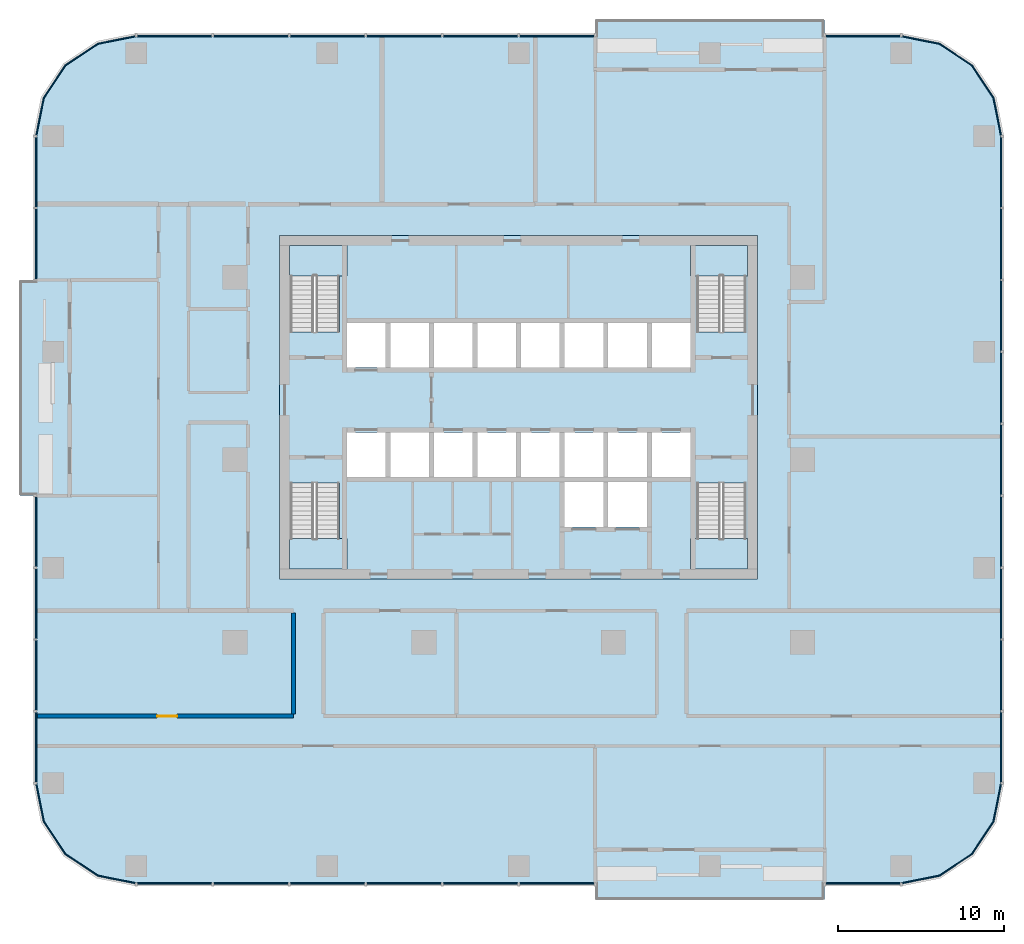
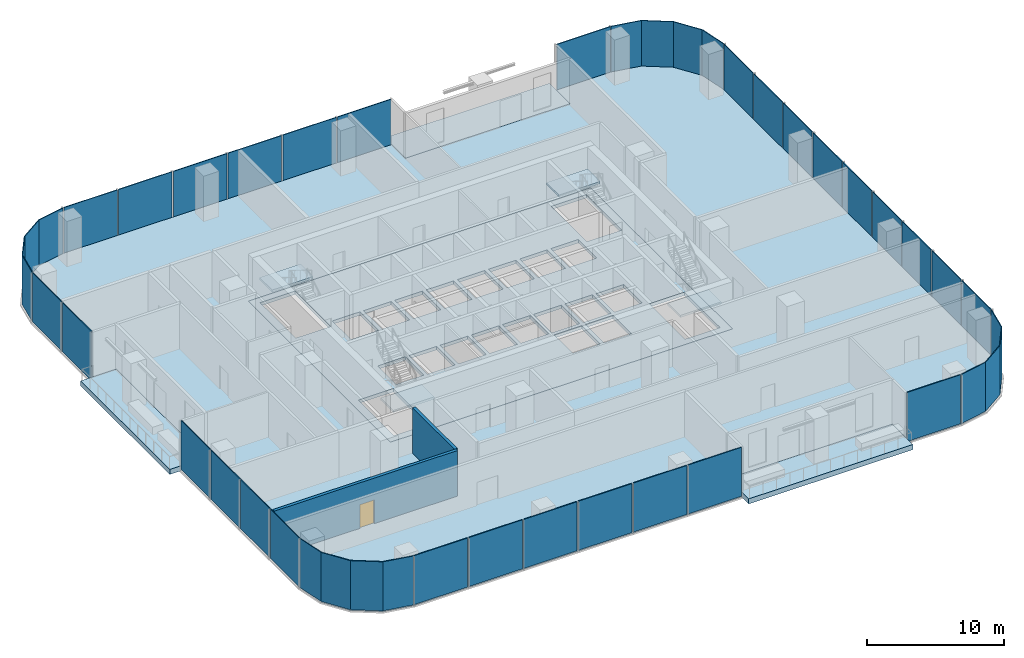
# One storey, part 6 of 15: 33 plates, 9 slabs, 2 walls, 1 door, 1 opening, 15 elements without a shape of their own.
"""IFC4 building model written with IfcOpenShell, lengths in metres."""

from ifc_helpers import new_model, si_unit, direction, frame, frame_2d, origin, origin_2d, place, context, subcontext, project, spatial, polyline, rectangle, outline, extrude, material, layer, layer_set, type_object, element, fill, aggregate, save


model = new_model("IFC4")

# Units and contexts
model_context = context("Model", 3, precision=1e-05, world=origin(), true_north=direction((0.0, 1.0)))
body_context = subcontext(model_context, "Body", "Model", "MODEL_VIEW")
ifc_project = project(units=[si_unit("LENGTHUNIT", "METRE"), si_unit("AREAUNIT", "SQUARE_METRE"), si_unit("VOLUMEUNIT", "CUBIC_METRE"), si_unit("PLANEANGLEUNIT", "RADIAN"), si_unit("MASSUNIT", "GRAM", prefix="KILO")], contexts=[model_context])

# Site, building, storey
site_placement = place(None, origin())
site = spatial("IfcSite", under=ifc_project, at=site_placement, CompositionType="ELEMENT")
building_placement = place(site_placement, origin())
building = spatial("IfcBuilding", under=site, at=building_placement, Name="Mopane Tessera Tower", CompositionType="ELEMENT")
storey_placement = place(building_placement, frame((0.0, 0.0, 99.10009765625)))
storey = spatial("IfcBuildingStorey", under=building, at=storey_placement, Name="L19", CompositionType="ELEMENT", Elevation=99.10009765625)

# Slab
ifc_material_1 = material(Name="Concrete C40/50", Category="concrete")
ifc_layer_1 = layer(ifc_material_1, 0.300048828125)
ifc_layer_set_1 = layer_set([ifc_layer_1], Name="Concrete C40/50")
slab_type_1 = type_object("IfcSlabType", Name="Core floor slab 300 mm", PredefinedType="FLOOR", material=ifc_layer_set_1)
slab_1_placement = place(storey_placement, frame((0.0, 0.0, -0.300048828125)))
element("IfcSlab", 1, at=slab_1_placement, inside=storey, type_object=slab_type_1, Name="L19 core floor slab", PredefinedType="FLOOR", context=body_context, shape_type="SweptSolid", body=[
    extrude(outline(polyline([(-14.39990234375, -7.199951171875), (14.39990234375, -7.199951171875), (14.39990234375, 13.5), (-14.39990234375, 13.5), (-14.39990234375, -7.199951171875)]), holes=[polyline([(-10.35009765625, -1.050048828125), (-8.02490234375, -1.050048828125), (-8.02490234375, 1.64990234375), (-10.35009765625, 1.64990234375), (-10.35009765625, -1.050048828125)]), polyline([(-7.72509765625, -1.050048828125), (-5.39990234375, -1.050048828125), (-5.39990234375, 1.64990234375), (-7.72509765625, 1.64990234375), (-7.72509765625, -1.050048828125)]), polyline([(-5.10009765625, -1.050048828125), (-2.77490234375, -1.050048828125), (-2.77490234375, 1.64990234375), (-5.10009765625, 1.64990234375), (-5.10009765625, -1.050048828125)]), polyline([(-2.47509765625, -1.050048828125), (-0.14990234375, -1.050048828125), (-0.14990234375, 1.64990234375), (-2.47509765625, 1.64990234375), (-2.47509765625, -1.050048828125)]), polyline([(0.14990234375, -1.050048828125), (2.47509765625, -1.050048828125), (2.47509765625, 1.64990234375), (0.14990234375, 1.64990234375), (0.14990234375, -1.050048828125)]), polyline([(2.77490234375, -1.050048828125), (5.10009765625, -1.050048828125), (5.10009765625, 1.64990234375), (2.77490234375, 1.64990234375), (2.77490234375, -1.050048828125)]), polyline([(5.39990234375, -1.050048828125), (7.72509765625, -1.050048828125), (7.72509765625, 1.64990234375), (5.39990234375, 1.64990234375), (5.39990234375, -1.050048828125)]), polyline([(8.02490234375, -1.050048828125), (10.35009765625, -1.050048828125), (10.35009765625, 1.64990234375), (8.02490234375, 1.64990234375), (8.02490234375, -1.050048828125)]), polyline([(-10.35009765625, 5.550048828125), (-8.02490234375, 5.550048828125), (-8.02490234375, 8.25), (-10.35009765625, 8.25), (-10.35009765625, 5.550048828125)]), polyline([(-7.72509765625, 5.550048828125), (-5.39990234375, 5.550048828125), (-5.39990234375, 8.25), (-7.72509765625, 8.25), (-7.72509765625, 5.550048828125)]), polyline([(-5.10009765625, 5.550048828125), (-2.77490234375, 5.550048828125), (-2.77490234375, 8.25), (-5.10009765625, 8.25), (-5.10009765625, 5.550048828125)]), polyline([(-2.47509765625, 5.550048828125), (-0.14990234375, 5.550048828125), (-0.14990234375, 8.25), (-2.47509765625, 8.25), (-2.47509765625, 5.550048828125)]), polyline([(0.14990234375, 5.550048828125), (2.47509765625, 5.550048828125), (2.47509765625, 8.25), (0.14990234375, 8.25), (0.14990234375, 5.550048828125)]), polyline([(2.77490234375, 5.550048828125), (5.10009765625, 5.550048828125), (5.10009765625, 8.25), (2.77490234375, 8.25), (2.77490234375, 5.550048828125)]), polyline([(5.39990234375, 5.550048828125), (7.72509765625, 5.550048828125), (7.72509765625, 8.25), (5.39990234375, 8.25), (5.39990234375, 5.550048828125)]), polyline([(8.02490234375, 5.550048828125), (10.35009765625, 5.550048828125), (10.35009765625, 8.25), (8.02490234375, 8.25), (8.02490234375, 5.550048828125)]), polyline([(2.77490234375, -4.050048828125), (5.10009765625, -4.050048828125), (5.10009765625, -1.35009765625), (2.77490234375, -1.35009765625), (2.77490234375, -4.050048828125)]), polyline([(5.39990234375, -4.050048828125), (7.72509765625, -4.050048828125), (7.72509765625, -1.35009765625), (5.39990234375, -1.35009765625), (5.39990234375, -4.050048828125)]), polyline([(-13.75, -1.405029296875), (-13.75, -6.60009765625), (-10.800048828125, -6.60009765625), (-10.800048828125, -1.405029296875), (-13.75, -1.405029296875)]), polyline([(-10.800048828125, 7.705078125), (-10.800048828125, 12.89990234375), (-13.75, 12.89990234375), (-13.75, 7.705078125), (-10.800048828125, 7.705078125)]), polyline([(10.75, -1.405029296875), (10.75, -6.60009765625), (13.699951171875, -6.60009765625), (13.699951171875, -1.405029296875), (10.75, -1.405029296875)]), polyline([(13.699951171875, 7.705078125), (13.699951171875, 12.89990234375), (10.75, 12.89990234375), (10.75, 7.705078125), (13.699951171875, 7.705078125)])]), origin(), (0.0, 0.0, 1.0), 0.300048828125),
])

# Stair, slab
ifc_material_2 = material(Name="Concrete C50/60", Category="concrete")
stair_type = type_object("IfcStairType", Name="Escape stair 1400 mm, riser 173 mm", PredefinedType="HALF_TURN_STAIR", material=ifc_material_2)
stair_1_placement = place(storey_placement, origin())
stair_1 = element("IfcStair", 2, at=stair_1_placement, inside=storey, type_object=stair_type, Name="L19 Escape stair south-west", PredefinedType="HALF_TURN_STAIR")
ifc_material_3 = material(Name="Concrete C50/60", Category="concrete")
ifc_layer_2 = layer(ifc_material_3, 0.199951171875)
ifc_layer_set_2 = layer_set([ifc_layer_2], Name="Concrete C50/60")
slab_type_2 = type_object("IfcSlabType", Name="Escape stair landing 200 mm", PredefinedType="LANDING", material=ifc_layer_set_2)
slab_2_placement = place(storey_placement, frame((0.0, 0.0, 2.0498046875)))
slab_2 = element("IfcSlab", 3, at=slab_2_placement, type_object=slab_type_2, Name="ST1 landing 1", PredefinedType="LANDING", context=body_context, shape_type="SweptSolid", body=[
    extrude(outline(polyline([(-13.800048828125, -4.760009765625), (-13.800048828125, -6.60009765625), (-10.35009765625, -6.60009765625), (-10.35009765625, -4.760009765625), (-13.800048828125, -4.760009765625)])), origin(), (0.0, 0.0, 1.0), 0.2001953125),
])
aggregate(stair_1, [slab_2])

stair_2_placement = place(storey_placement, origin())
stair_2 = element("IfcStair", 4, at=stair_2_placement, inside=storey, type_object=stair_type, Name="L19 Escape stair north-west", PredefinedType="HALF_TURN_STAIR")
slab_3_placement = place(storey_placement, frame((0.0, 0.0, 2.0498046875)))
slab_3 = element("IfcSlab", 5, at=slab_3_placement, type_object=slab_type_2, Name="ST2 landing 1", PredefinedType="LANDING", context=body_context, shape_type="SweptSolid", body=[
    extrude(outline(polyline([(-10.35009765625, 11.06005859375), (-10.35009765625, 12.89990234375), (-13.800048828125, 12.89990234375), (-13.800048828125, 11.06005859375), (-10.35009765625, 11.06005859375)])), origin(), (0.0, 0.0, 1.0), 0.2001953125),
])
aggregate(stair_2, [slab_3])

stair_3_placement = place(storey_placement, origin())
stair_3 = element("IfcStair", 6, at=stair_3_placement, inside=storey, type_object=stair_type, Name="L19 Escape stair south-east", PredefinedType="HALF_TURN_STAIR")
slab_4_placement = place(storey_placement, frame((0.0, 0.0, 2.0498046875)))
slab_4 = element("IfcSlab", 7, at=slab_4_placement, type_object=slab_type_2, Name="ST3 landing 1", PredefinedType="LANDING", context=body_context, shape_type="SweptSolid", body=[
    extrude(outline(polyline([(10.35009765625, -4.760009765625), (10.35009765625, -6.60009765625), (13.800048828125, -6.60009765625), (13.800048828125, -4.760009765625), (10.35009765625, -4.760009765625)])), origin(), (0.0, 0.0, 1.0), 0.2001953125),
])
aggregate(stair_3, [slab_4])

stair_4_placement = place(storey_placement, origin())
stair_4 = element("IfcStair", 8, at=stair_4_placement, inside=storey, type_object=stair_type, Name="L19 Escape stair north-east", PredefinedType="HALF_TURN_STAIR")
slab_5_placement = place(storey_placement, frame((0.0, 0.0, 2.0498046875)))
slab_5 = element("IfcSlab", 9, at=slab_5_placement, type_object=slab_type_2, Name="ST4 landing 1", PredefinedType="LANDING", context=body_context, shape_type="SweptSolid", body=[
    extrude(outline(polyline([(13.800048828125, 11.06005859375), (13.800048828125, 12.89990234375), (10.35009765625, 12.89990234375), (10.35009765625, 11.06005859375), (13.800048828125, 11.06005859375)])), origin(), (0.0, 0.0, 1.0), 0.2001953125),
])
aggregate(stair_4, [slab_5])

# Curtain wall, plates
ifc_material_4 = material(Name="Aluminium frame", Category="aluminium")
curtain_wall_type = type_object("IfcCurtainWallType", Name="Lower tower unitised wall", PredefinedType="NOTDEFINED", material=ifc_material_4)
curtain_wall_1_placement = place(storey_placement, origin())
curtain_wall_1 = element("IfcCurtainWall", 10, at=curtain_wall_1_placement, inside=storey, type_object=curtain_wall_type, Name="e:cw:L19:S:0", PredefinedType="NOTDEFINED")
ifc_material_5 = material(Name="Clear laminated glass", Category="glass")
ifc_layer_3 = layer(ifc_material_5, 0.070068359375)
ifc_layer_set_3 = layer_set([ifc_layer_3], Name="Clear laminated glass")
plate_type = type_object("IfcPlateType", Name="Laminated glazed unit 70", PredefinedType="CURTAIN_PANEL", material=ifc_layer_set_3)
plate_1_placement = place(storey_placement, frame((-20.7451171875, -25.534912109375, -0.31005859375), z_axis=(0.0, 0.0, 1.0), x_axis=(1.0, 0.0, 0.0)))
plate_1 = element("IfcPlate", 11, at=plate_1_placement, type_object=plate_type, Name="e:cw:L19:S:0:pn0", PredefinedType="CURTAIN_PANEL", context=body_context, shape_type="SweptSolid", body=[
    extrude(rectangle(XDim=4.5, YDim=0.070068359375, at=origin_2d()), origin(), (0.0, 0.0, 1.0), 4.360107421875),
])
plate_2_placement = place(storey_placement, frame((-16.135009765625, -25.534912109375, -0.31005859375), z_axis=(0.0, 0.0, 1.0), x_axis=(1.0, 0.0, 0.0)))
plate_2 = element("IfcPlate", 12, at=plate_2_placement, type_object=plate_type, Name="e:cw:L19:S:0:pn1", PredefinedType="CURTAIN_PANEL", context=body_context, shape_type="SweptSolid", body=[
    extrude(rectangle(XDim=4.5, YDim=0.070068359375, at=origin_2d()), origin(), (0.0, 0.0, 1.0), 4.360107421875),
])
plate_3_placement = place(storey_placement, frame((-11.52490234375, -25.534912109375, -0.31005859375), z_axis=(0.0, 0.0, 1.0), x_axis=(1.0, 0.0, 0.0)))
plate_3 = element("IfcPlate", 13, at=plate_3_placement, type_object=plate_type, Name="e:cw:L19:S:0:pn2", PredefinedType="CURTAIN_PANEL", context=body_context, shape_type="SweptSolid", body=[
    extrude(rectangle(XDim=4.5, YDim=0.070068359375, at=origin_2d()), origin(), (0.0, 0.0, 1.0), 4.360107421875),
])
plate_4_placement = place(storey_placement, frame((-6.9150390625, -25.534912109375, -0.31005859375), z_axis=(0.0, 0.0, 1.0), x_axis=(1.0, 0.0, 0.0)))
plate_4 = element("IfcPlate", 14, at=plate_4_placement, type_object=plate_type, Name="e:cw:L19:S:0:pn3", PredefinedType="CURTAIN_PANEL", context=body_context, shape_type="SweptSolid", body=[
    extrude(rectangle(XDim=4.5, YDim=0.070068359375, at=origin_2d()), origin(), (0.0, 0.0, 1.0), 4.360107421875),
])
plate_5_placement = place(storey_placement, frame((-2.304931640625, -25.534912109375, -0.31005859375), z_axis=(0.0, 0.0, 1.0), x_axis=(1.0, 0.0, 0.0)))
plate_5 = element("IfcPlate", 15, at=plate_5_placement, type_object=plate_type, Name="e:cw:L19:S:0:pn4", PredefinedType="CURTAIN_PANEL", context=body_context, shape_type="SweptSolid", body=[
    extrude(rectangle(XDim=4.5, YDim=0.070068359375, at=origin_2d()), origin(), (0.0, 0.0, 1.0), 4.360107421875),
])
plate_6_placement = place(storey_placement, frame((2.304931640625, -25.534912109375, -0.31005859375), z_axis=(0.0, 0.0, 1.0), x_axis=(1.0, 0.0, 0.0)))
plate_6 = element("IfcPlate", 16, at=plate_6_placement, type_object=plate_type, Name="e:cw:L19:S:0:pn5", PredefinedType="CURTAIN_PANEL", context=body_context, shape_type="SweptSolid", body=[
    extrude(rectangle(XDim=4.5, YDim=0.070068359375, at=origin_2d()), origin(), (0.0, 0.0, 1.0), 4.360107421875),
])
aggregate(curtain_wall_1, [plate_1, plate_2, plate_3, plate_4, plate_5, plate_6])

# Curtain wall, plate
curtain_wall_2_placement = place(storey_placement, origin())
curtain_wall_2 = element("IfcCurtainWall", 17, at=curtain_wall_2_placement, inside=storey, type_object=curtain_wall_type, Name="e:cw:L19:S:9", PredefinedType="NOTDEFINED")
plate_7_placement = place(storey_placement, frame((20.7451171875, -25.534912109375, -0.31005859375), z_axis=(0.0, 0.0, 1.0), x_axis=(1.0, 0.0, 0.0)))
plate_7 = element("IfcPlate", 18, at=plate_7_placement, type_object=plate_type, Name="e:cw:L19:S:9:pn9", PredefinedType="CURTAIN_PANEL", context=body_context, shape_type="SweptSolid", body=[
    extrude(rectangle(XDim=4.5, YDim=0.070068359375, at=origin_2d()), origin(), (0.0, 0.0, 1.0), 4.360107421875),
])
aggregate(curtain_wall_2, [plate_7])

curtain_wall_3_placement = place(storey_placement, origin())
curtain_wall_3 = element("IfcCurtainWall", 19, at=curtain_wall_3_placement, inside=storey, type_object=curtain_wall_type, Name="e:cw:L19:CS", PredefinedType="NOTDEFINED")
plate_8_placement = place(storey_placement, frame((0.0, 0.0, -0.31005859375)))
plate_8 = element("IfcPlate", 20, at=plate_8_placement, type_object=plate_type, Name="e:cw:L19:CS:pn", PredefinedType="CURTAIN_PANEL", context=body_context, shape_type="SweptSolid", body=[
    extrude(outline(polyline([(23.050048828125, -25.5), (25.34619140625, -25.043212890625), (27.292724609375, -23.74267578125), (28.59326171875, -21.796142578125), (29.050048828125, -19.5), (29.1201171875, -19.5), (28.657958984375, -21.822998046875), (27.342041015625, -23.792236328125), (25.372802734375, -25.10791015625), (23.050048828125, -25.570068359375), (23.050048828125, -25.5)])), origin(), (0.0, 0.0, 1.0), 4.35986328125),
])
aggregate(curtain_wall_3, [plate_8])

# Curtain wall, plates
curtain_wall_4_placement = place(storey_placement, origin())
curtain_wall_4 = element("IfcCurtainWall", 21, at=curtain_wall_4_placement, inside=storey, type_object=curtain_wall_type, Name="e:cw:L19:E:0", PredefinedType="NOTDEFINED")
plate_9_placement = place(storey_placement, frame((29.0849609375, -17.333251953125, -0.31005859375), z_axis=(0.0, 0.0, 1.0), x_axis=(0.0, 1.0, 0.0)))
plate_9 = element("IfcPlate", 22, at=plate_9_placement, type_object=plate_type, Name="e:cw:L19:E:0:pn0", PredefinedType="CURTAIN_PANEL", context=body_context, shape_type="SweptSolid", body=[
    extrude(rectangle(XDim=4.223388671875, YDim=0.070068359375, at=origin_2d()), origin(), (0.0, 0.0, 1.0), 4.360107421875),
])
plate_10_placement = place(storey_placement, frame((29.0849609375, -13.0, -0.31005859375), z_axis=(0.0, 0.0, 1.0), x_axis=(0.0, 1.0, 0.0)))
plate_10 = element("IfcPlate", 23, at=plate_10_placement, type_object=plate_type, Name="e:cw:L19:E:0:pn1", PredefinedType="CURTAIN_PANEL", context=body_context, shape_type="SweptSolid", body=[
    extrude(rectangle(XDim=4.223388671875, YDim=0.070068359375, at=origin_2d()), origin(), (0.0, 0.0, 1.0), 4.360107421875),
])
plate_11_placement = place(storey_placement, frame((29.0849609375, -8.666748046875, -0.31005859375), z_axis=(0.0, 0.0, 1.0), x_axis=(0.0, 1.0, 0.0)))
plate_11 = element("IfcPlate", 24, at=plate_11_placement, type_object=plate_type, Name="e:cw:L19:E:0:pn2", PredefinedType="CURTAIN_PANEL", context=body_context, shape_type="SweptSolid", body=[
    extrude(rectangle(XDim=4.223388671875, YDim=0.070068359375, at=origin_2d()), origin(), (0.0, 0.0, 1.0), 4.360107421875),
])
plate_12_placement = place(storey_placement, frame((29.0849609375, -4.333251953125, -0.31005859375), z_axis=(0.0, 0.0, 1.0), x_axis=(0.0, 1.0, 0.0)))
plate_12 = element("IfcPlate", 25, at=plate_12_placement, type_object=plate_type, Name="e:cw:L19:E:0:pn3", PredefinedType="CURTAIN_PANEL", context=body_context, shape_type="SweptSolid", body=[
    extrude(rectangle(XDim=4.223388671875, YDim=0.070068359375, at=origin_2d()), origin(), (0.0, 0.0, 1.0), 4.360107421875),
])
plate_13_placement = place(storey_placement, frame((29.0849609375, 0.0, -0.31005859375), z_axis=(0.0, 0.0, 1.0), x_axis=(0.0, 1.0, 0.0)))
plate_13 = element("IfcPlate", 26, at=plate_13_placement, type_object=plate_type, Name="e:cw:L19:E:0:pn4", PredefinedType="CURTAIN_PANEL", context=body_context, shape_type="SweptSolid", body=[
    extrude(rectangle(XDim=4.223388671875, YDim=0.070068359375, at=origin_2d()), origin(), (0.0, 0.0, 1.0), 4.360107421875),
])
plate_14_placement = place(storey_placement, frame((29.0849609375, 4.333251953125, -0.31005859375), z_axis=(0.0, 0.0, 1.0), x_axis=(0.0, 1.0, 0.0)))
plate_14 = element("IfcPlate", 27, at=plate_14_placement, type_object=plate_type, Name="e:cw:L19:E:0:pn5", PredefinedType="CURTAIN_PANEL", context=body_context, shape_type="SweptSolid", body=[
    extrude(rectangle(XDim=4.223388671875, YDim=0.070068359375, at=origin_2d()), origin(), (0.0, 0.0, 1.0), 4.360107421875),
])
plate_15_placement = place(storey_placement, frame((29.0849609375, 8.666748046875, -0.31005859375), z_axis=(0.0, 0.0, 1.0), x_axis=(0.0, 1.0, 0.0)))
plate_15 = element("IfcPlate", 28, at=plate_15_placement, type_object=plate_type, Name="e:cw:L19:E:0:pn6", PredefinedType="CURTAIN_PANEL", context=body_context, shape_type="SweptSolid", body=[
    extrude(rectangle(XDim=4.223388671875, YDim=0.070068359375, at=origin_2d()), origin(), (0.0, 0.0, 1.0), 4.360107421875),
])
plate_16_placement = place(storey_placement, frame((29.0849609375, 13.0, -0.31005859375), z_axis=(0.0, 0.0, 1.0), x_axis=(0.0, 1.0, 0.0)))
plate_16 = element("IfcPlate", 29, at=plate_16_placement, type_object=plate_type, Name="e:cw:L19:E:0:pn7", PredefinedType="CURTAIN_PANEL", context=body_context, shape_type="SweptSolid", body=[
    extrude(rectangle(XDim=4.223388671875, YDim=0.070068359375, at=origin_2d()), origin(), (0.0, 0.0, 1.0), 4.360107421875),
])
plate_17_placement = place(storey_placement, frame((29.0849609375, 17.333251953125, -0.31005859375), z_axis=(0.0, 0.0, 1.0), x_axis=(0.0, 1.0, 0.0)))
plate_17 = element("IfcPlate", 30, at=plate_17_placement, type_object=plate_type, Name="e:cw:L19:E:0:pn8", PredefinedType="CURTAIN_PANEL", context=body_context, shape_type="SweptSolid", body=[
    extrude(rectangle(XDim=4.223388671875, YDim=0.070068359375, at=origin_2d()), origin(), (0.0, 0.0, 1.0), 4.360107421875),
])
aggregate(curtain_wall_4, [plate_9, plate_10, plate_11, plate_12, plate_13, plate_14, plate_15, plate_16, plate_17])

# Curtain wall, plate
curtain_wall_5_placement = place(storey_placement, origin())
curtain_wall_5 = element("IfcCurtainWall", 31, at=curtain_wall_5_placement, inside=storey, type_object=curtain_wall_type, Name="e:cw:L19:CE", PredefinedType="NOTDEFINED")
plate_18_placement = place(storey_placement, frame((0.0, 0.0, -0.31005859375)))
plate_18 = element("IfcPlate", 32, at=plate_18_placement, type_object=plate_type, Name="e:cw:L19:CE:pn", PredefinedType="CURTAIN_PANEL", context=body_context, shape_type="SweptSolid", body=[
    extrude(outline(polyline([(29.050048828125, 19.5), (28.59326171875, 21.796142578125), (27.292724609375, 23.74267578125), (25.34619140625, 25.043212890625), (23.050048828125, 25.5), (23.050048828125, 25.570068359375), (25.372802734375, 25.10791015625), (27.342041015625, 23.792236328125), (28.657958984375, 21.822998046875), (29.1201171875, 19.5), (29.050048828125, 19.5)])), origin(), (0.0, 0.0, 1.0), 4.35986328125),
])
aggregate(curtain_wall_5, [plate_18])

curtain_wall_6_placement = place(storey_placement, origin())
curtain_wall_6 = element("IfcCurtainWall", 33, at=curtain_wall_6_placement, inside=storey, type_object=curtain_wall_type, Name="e:cw:L19:N:0", PredefinedType="NOTDEFINED")
plate_19_placement = place(storey_placement, frame((20.7451171875, 25.534912109375, -0.31005859375), z_axis=(0.0, 0.0, 1.0), x_axis=(-1.0, 0.0, 0.0)))
plate_19 = element("IfcPlate", 34, at=plate_19_placement, type_object=plate_type, Name="e:cw:L19:N:0:pn0", PredefinedType="CURTAIN_PANEL", context=body_context, shape_type="SweptSolid", body=[
    extrude(rectangle(XDim=4.5, YDim=0.070068359375, at=origin_2d()), origin(), (0.0, 0.0, 1.0), 4.360107421875),
])
aggregate(curtain_wall_6, [plate_19])

# Curtain wall, plates
curtain_wall_7_placement = place(storey_placement, origin())
curtain_wall_7 = element("IfcCurtainWall", 35, at=curtain_wall_7_placement, inside=storey, type_object=curtain_wall_type, Name="e:cw:L19:N:4", PredefinedType="NOTDEFINED")
plate_20_placement = place(storey_placement, frame((2.304931640625, 25.534912109375, -0.31005859375), z_axis=(0.0, 0.0, 1.0), x_axis=(-1.0, 0.0, 0.0)))
plate_20 = element("IfcPlate", 36, at=plate_20_placement, type_object=plate_type, Name="e:cw:L19:N:4:pn4", PredefinedType="CURTAIN_PANEL", context=body_context, shape_type="SweptSolid", body=[
    extrude(rectangle(XDim=4.5, YDim=0.070068359375, at=origin_2d()), origin(), (0.0, 0.0, 1.0), 4.360107421875),
])
plate_21_placement = place(storey_placement, frame((-2.304931640625, 25.534912109375, -0.31005859375), z_axis=(0.0, 0.0, 1.0), x_axis=(-1.0, 0.0, 0.0)))
plate_21 = element("IfcPlate", 37, at=plate_21_placement, type_object=plate_type, Name="e:cw:L19:N:4:pn5", PredefinedType="CURTAIN_PANEL", context=body_context, shape_type="SweptSolid", body=[
    extrude(rectangle(XDim=4.5, YDim=0.070068359375, at=origin_2d()), origin(), (0.0, 0.0, 1.0), 4.360107421875),
])
plate_22_placement = place(storey_placement, frame((-6.9150390625, 25.534912109375, -0.31005859375), z_axis=(0.0, 0.0, 1.0), x_axis=(-1.0, 0.0, 0.0)))
plate_22 = element("IfcPlate", 38, at=plate_22_placement, type_object=plate_type, Name="e:cw:L19:N:4:pn6", PredefinedType="CURTAIN_PANEL", context=body_context, shape_type="SweptSolid", body=[
    extrude(rectangle(XDim=4.5, YDim=0.070068359375, at=origin_2d()), origin(), (0.0, 0.0, 1.0), 4.360107421875),
])
plate_23_placement = place(storey_placement, frame((-11.52490234375, 25.534912109375, -0.31005859375), z_axis=(0.0, 0.0, 1.0), x_axis=(-1.0, 0.0, 0.0)))
plate_23 = element("IfcPlate", 39, at=plate_23_placement, type_object=plate_type, Name="e:cw:L19:N:4:pn7", PredefinedType="CURTAIN_PANEL", context=body_context, shape_type="SweptSolid", body=[
    extrude(rectangle(XDim=4.5, YDim=0.070068359375, at=origin_2d()), origin(), (0.0, 0.0, 1.0), 4.360107421875),
])
plate_24_placement = place(storey_placement, frame((-16.135009765625, 25.534912109375, -0.31005859375), z_axis=(0.0, 0.0, 1.0), x_axis=(-1.0, 0.0, 0.0)))
plate_24 = element("IfcPlate", 40, at=plate_24_placement, type_object=plate_type, Name="e:cw:L19:N:4:pn8", PredefinedType="CURTAIN_PANEL", context=body_context, shape_type="SweptSolid", body=[
    extrude(rectangle(XDim=4.5, YDim=0.070068359375, at=origin_2d()), origin(), (0.0, 0.0, 1.0), 4.360107421875),
])
plate_25_placement = place(storey_placement, frame((-20.7451171875, 25.534912109375, -0.31005859375), z_axis=(0.0, 0.0, 1.0), x_axis=(-1.0, 0.0, 0.0)))
plate_25 = element("IfcPlate", 41, at=plate_25_placement, type_object=plate_type, Name="e:cw:L19:N:4:pn9", PredefinedType="CURTAIN_PANEL", context=body_context, shape_type="SweptSolid", body=[
    extrude(rectangle(XDim=4.5, YDim=0.070068359375, at=origin_2d()), origin(), (0.0, 0.0, 1.0), 4.360107421875),
])
aggregate(curtain_wall_7, [plate_20, plate_21, plate_22, plate_23, plate_24, plate_25])

# Curtain wall, plate
curtain_wall_8_placement = place(storey_placement, origin())
curtain_wall_8 = element("IfcCurtainWall", 42, at=curtain_wall_8_placement, inside=storey, type_object=curtain_wall_type, Name="e:cw:L19:CN", PredefinedType="NOTDEFINED")
plate_26_placement = place(storey_placement, frame((0.0, 0.0, -0.31005859375)))
plate_26 = element("IfcPlate", 43, at=plate_26_placement, type_object=plate_type, Name="e:cw:L19:CN:pn", PredefinedType="CURTAIN_PANEL", context=body_context, shape_type="SweptSolid", body=[
    extrude(outline(polyline([(-23.050048828125, 25.5), (-25.34619140625, 25.043212890625), (-27.292724609375, 23.74267578125), (-28.59326171875, 21.796142578125), (-29.050048828125, 19.5), (-29.1201171875, 19.5), (-28.657958984375, 21.822998046875), (-27.342041015625, 23.792236328125), (-25.372802734375, 25.10791015625), (-23.050048828125, 25.570068359375), (-23.050048828125, 25.5)])), origin(), (0.0, 0.0, 1.0), 4.35986328125),
])
aggregate(curtain_wall_8, [plate_26])

# Curtain wall, plates
curtain_wall_9_placement = place(storey_placement, origin())
curtain_wall_9 = element("IfcCurtainWall", 44, at=curtain_wall_9_placement, inside=storey, type_object=curtain_wall_type, Name="e:cw:L19:W:0", PredefinedType="NOTDEFINED")
plate_27_placement = place(storey_placement, frame((-29.0849609375, 17.333251953125, -0.31005859375), z_axis=(0.0, 0.0, 1.0), x_axis=(0.0, -1.0, 0.0)))
plate_27 = element("IfcPlate", 45, at=plate_27_placement, type_object=plate_type, Name="e:cw:L19:W:0:pn0", PredefinedType="CURTAIN_PANEL", context=body_context, shape_type="SweptSolid", body=[
    extrude(rectangle(XDim=4.223388671875, YDim=0.070068359375, at=origin_2d()), origin(), (0.0, 0.0, 1.0), 4.360107421875),
])
plate_28_placement = place(storey_placement, frame((-29.0849609375, 13.0, -0.31005859375), z_axis=(0.0, 0.0, 1.0), x_axis=(0.0, -1.0, 0.0)))
plate_28 = element("IfcPlate", 46, at=plate_28_placement, type_object=plate_type, Name="e:cw:L19:W:0:pn1", PredefinedType="CURTAIN_PANEL", context=body_context, shape_type="SweptSolid", body=[
    extrude(rectangle(XDim=4.223388671875, YDim=0.070068359375, at=origin_2d()), origin(), (0.0, 0.0, 1.0), 4.360107421875),
])
aggregate(curtain_wall_9, [plate_27, plate_28])

curtain_wall_10_placement = place(storey_placement, origin())
curtain_wall_10 = element("IfcCurtainWall", 47, at=curtain_wall_10_placement, inside=storey, type_object=curtain_wall_type, Name="e:cw:L19:W:5", PredefinedType="NOTDEFINED")
plate_29_placement = place(storey_placement, frame((-29.0849609375, -4.333251953125, -0.31005859375), z_axis=(0.0, 0.0, 1.0), x_axis=(0.0, -1.0, 0.0)))
plate_29 = element("IfcPlate", 48, at=plate_29_placement, type_object=plate_type, Name="e:cw:L19:W:5:pn5", PredefinedType="CURTAIN_PANEL", context=body_context, shape_type="SweptSolid", body=[
    extrude(rectangle(XDim=4.223388671875, YDim=0.070068359375, at=origin_2d()), origin(), (0.0, 0.0, 1.0), 4.360107421875),
])
plate_30_placement = place(storey_placement, frame((-29.0849609375, -8.666748046875, -0.31005859375), z_axis=(0.0, 0.0, 1.0), x_axis=(0.0, -1.0, 0.0)))
plate_30 = element("IfcPlate", 49, at=plate_30_placement, type_object=plate_type, Name="e:cw:L19:W:5:pn6", PredefinedType="CURTAIN_PANEL", context=body_context, shape_type="SweptSolid", body=[
    extrude(rectangle(XDim=4.223388671875, YDim=0.070068359375, at=origin_2d()), origin(), (0.0, 0.0, 1.0), 4.360107421875),
])
plate_31_placement = place(storey_placement, frame((-29.0849609375, -13.0, -0.31005859375), z_axis=(0.0, 0.0, 1.0), x_axis=(0.0, -1.0, 0.0)))
plate_31 = element("IfcPlate", 50, at=plate_31_placement, type_object=plate_type, Name="e:cw:L19:W:5:pn7", PredefinedType="CURTAIN_PANEL", context=body_context, shape_type="SweptSolid", body=[
    extrude(rectangle(XDim=4.223388671875, YDim=0.070068359375, at=origin_2d()), origin(), (0.0, 0.0, 1.0), 4.360107421875),
])
plate_32_placement = place(storey_placement, frame((-29.0849609375, -17.333251953125, -0.31005859375), z_axis=(0.0, 0.0, 1.0), x_axis=(0.0, -1.0, 0.0)))
plate_32 = element("IfcPlate", 51, at=plate_32_placement, type_object=plate_type, Name="e:cw:L19:W:5:pn8", PredefinedType="CURTAIN_PANEL", context=body_context, shape_type="SweptSolid", body=[
    extrude(rectangle(XDim=4.223388671875, YDim=0.070068359375, at=origin_2d()), origin(), (0.0, 0.0, 1.0), 4.360107421875),
])
aggregate(curtain_wall_10, [plate_29, plate_30, plate_31, plate_32])

# Curtain wall, plate
curtain_wall_11_placement = place(storey_placement, origin())
curtain_wall_11 = element("IfcCurtainWall", 52, at=curtain_wall_11_placement, inside=storey, type_object=curtain_wall_type, Name="e:cw:L19:CW", PredefinedType="NOTDEFINED")
plate_33_placement = place(storey_placement, frame((0.0, 0.0, -0.31005859375)))
plate_33 = element("IfcPlate", 53, at=plate_33_placement, type_object=plate_type, Name="e:cw:L19:CW:pn", PredefinedType="CURTAIN_PANEL", context=body_context, shape_type="SweptSolid", body=[
    extrude(outline(polyline([(-29.050048828125, -19.5), (-28.59326171875, -21.796142578125), (-27.292724609375, -23.74267578125), (-25.34619140625, -25.043212890625), (-23.050048828125, -25.5), (-23.050048828125, -25.570068359375), (-25.372802734375, -25.10791015625), (-27.342041015625, -23.792236328125), (-28.657958984375, -21.822998046875), (-29.1201171875, -19.5), (-29.050048828125, -19.5)])), origin(), (0.0, 0.0, 1.0), 4.35986328125),
])
aggregate(curtain_wall_11, [plate_33])

# Slabs
ifc_material_6 = material(Name="Concrete C40/50", Category="concrete")
ifc_layer_4 = layer(ifc_material_6, 0.449951171875)
ifc_layer_set_4 = layer_set([ifc_layer_4], Name="Concrete C40/50")
slab_type_3 = type_object("IfcSlabType", Name="Planted terrace slab 450 mm", PredefinedType="FLOOR", material=ifc_layer_set_4)
slab_6_placement = place(storey_placement, frame((0.0, 0.0, -0.4501953125)))
element("IfcSlab", 54, at=slab_6_placement, inside=storey, type_object=slab_type_3, Name="Terrace slab N1 L19", PredefinedType="FLOOR", context=body_context, shape_type="SweptSolid", body=[
    extrude(outline(polyline([(4.610107421875, 26.5), (4.610107421875, 23.5), (18.43994140625, 23.5), (18.43994140625, 26.5), (4.610107421875, 26.5)])), origin(), (0.0, 0.0, 1.0), 0.4501953125),
])
slab_7_placement = place(storey_placement, frame((0.0, 0.0, -0.4501953125)))
element("IfcSlab", 55, at=slab_7_placement, inside=storey, type_object=slab_type_3, Name="Terrace slab N2 L19", PredefinedType="FLOOR", context=body_context, shape_type="SweptSolid", body=[
    extrude(outline(polyline([(-30.050048828125, -2.166748046875), (-27.050048828125, -2.166748046875), (-27.050048828125, 10.833251953125), (-30.050048828125, 10.833251953125), (-30.050048828125, -2.166748046875)])), origin(), (0.0, 0.0, 1.0), 0.4501953125),
])
slab_8_placement = place(storey_placement, frame((0.0, 0.0, -0.4501953125)))
element("IfcSlab", 56, at=slab_8_placement, inside=storey, type_object=slab_type_3, Name="Terrace slab N3 L19", PredefinedType="FLOOR", context=body_context, shape_type="SweptSolid", body=[
    extrude(outline(polyline([(18.43994140625, -26.5), (18.43994140625, -23.5), (4.610107421875, -23.5), (4.610107421875, -26.5), (18.43994140625, -26.5)])), origin(), (0.0, 0.0, 1.0), 0.4501953125),
])
ifc_material_7 = material(Name="Concrete C40/50", Category="concrete")
ifc_layer_5 = layer(ifc_material_7, 0.449951171875)
ifc_layer_set_5 = layer_set([ifc_layer_5], Name="Concrete C40/50")
slab_type_4 = type_object("IfcSlabType", Name="Post-tensioned flat plate 450 mm", PredefinedType="FLOOR", material=ifc_layer_set_5)
slab_9_placement = place(storey_placement, frame((0.0, 0.0, -0.4501953125)))
element("IfcSlab", 57, at=slab_9_placement, inside=storey, type_object=slab_type_4, Name="Floor slab L19", PredefinedType="FLOOR", context=body_context, shape_type="SweptSolid", body=[
    extrude(outline(polyline([(-23.050048828125, -25.5), (4.610107421875, -25.5), (4.610107421875, -23.5), (18.43994140625, -23.5), (18.43994140625, -25.5), (23.050048828125, -25.5), (25.34619140625, -25.043212890625), (27.292724609375, -23.74267578125), (28.59326171875, -21.796142578125), (29.050048828125, -19.5), (29.050048828125, 19.5), (28.59326171875, 21.796142578125), (27.292724609375, 23.74267578125), (25.34619140625, 25.043212890625), (23.050048828125, 25.5), (18.43994140625, 25.5), (18.43994140625, 23.5), (4.610107421875, 23.5), (4.610107421875, 25.5), (-23.050048828125, 25.5), (-25.34619140625, 25.043212890625), (-27.292724609375, 23.74267578125), (-28.59326171875, 21.796142578125), (-29.050048828125, 19.5), (-29.050048828125, 10.833251953125), (-27.050048828125, 10.833251953125), (-27.050048828125, -2.166748046875), (-29.050048828125, -2.166748046875), (-29.050048828125, -19.5), (-28.59326171875, -21.796142578125), (-27.292724609375, -23.74267578125), (-25.34619140625, -25.043212890625), (-23.050048828125, -25.5)]), holes=[polyline([(14.39990234375, -7.199951171875), (-14.39990234375, -7.199951171875), (-14.39990234375, 13.5), (14.39990234375, 13.5), (14.39990234375, -7.199951171875)])]), origin(), (0.0, 0.0, 1.0), 0.4501953125),
])

# Wall, opening, door
ifc_material_8 = material(Name="Plastered concrete blockwork C20/25", Category="masonry")
ifc_layer_6 = layer(ifc_material_8, 0.25)
ifc_layer_set_6 = layer_set([ifc_layer_6], Name="Plastered concrete blockwork C20/25")
wall_type = type_object("IfcWallType", Name="Plastered blockwork wall 250, rated EI 120", PredefinedType="PARTITIONING", material=ifc_layer_set_6)
wall_1_placement = place(storey_placement, frame((-29.0, -15.449951171875, 0.0), z_axis=(0.0, 0.0, 1.0), x_axis=(1.0, 0.0, 0.0)))
wall_1 = element("IfcWall", 58, at=wall_1_placement, inside=storey, type_object=wall_type, Name="Partition L19:003", PredefinedType="PARTITIONING", context=body_context, shape_type="SweptSolid", body=[
    extrude(rectangle(XDim=15.429931640625, YDim=0.25, at=frame_2d((7.71484375, 0.0))), origin(), (0.0, 0.0, 1.0), 4.0498046875),
])
opening_placement = place(wall_1_placement, frame((7.215087890625, 0.0, 0.0)))
opening = element("IfcOpeningElement", 59, at=opening_placement, cuts=wall_1, Name="Opening L19-09", PredefinedType="OPENING", context=body_context, shape_type="SweptSolid", body=[
    extrude(rectangle(XDim=1.199951171875, YDim=2.10009765625, at=frame_2d((0.60009765625, 1.050048828125))), frame((0.0, 0.136962890625, 0.0), z_axis=(0.0, -1.0, 0.0), x_axis=(1.0, 0.0, 0.0)), (0.0, 0.0, 1.0), 0.27392578125),
])
ifc_material_9 = material(Name="Timber veneered steel-framed fire door", Category="steel")
door_type = type_object("IfcDoorType", Name="Fire door FD120 1200 x 2100", OperationType="SINGLE_SWING_LEFT", PredefinedType="DOOR", material=ifc_material_9)
door_placement = place(opening_placement, origin())
door = element("IfcDoor", 60, at=door_placement, inside=storey, type_object=door_type, Name="Door L19-09", ObjectType="D15B", OperationType="SINGLE_SWING_LEFT", OverallHeight=2.10009765625, OverallWidth=1.199951171875, PredefinedType="DOOR", context=body_context, shape_type="SweptSolid", body=[
    extrude(rectangle(XDim=1.199951171875, YDim=2.10009765625, at=frame_2d((0.60009765625, 1.050048828125))), frame((0.0, 0.02490234375, 0.0), z_axis=(0.0, -1.0, 0.0), x_axis=(1.0, 0.0, 0.0)), (0.0, 0.0, 1.0), 0.050048828125),
])
fill(opening, door)

# Wall
wall_2_placement = place(storey_placement, frame((-13.570068359375, -15.324951171875, 0.0), z_axis=(0.0, 0.0, 1.0), x_axis=(0.0, 1.0, 0.0)))
element("IfcWall", 61, at=wall_2_placement, inside=storey, type_object=wall_type, Name="Partition L19:034", PredefinedType="PARTITIONING", context=body_context, shape_type="SweptSolid", body=[
    extrude(rectangle(XDim=6.099853515625, YDim=0.25, at=frame_2d((3.0498046875, 0.0))), origin(), (0.0, 0.0, 1.0), 4.0498046875),
])

save(model, "model.ifc")
